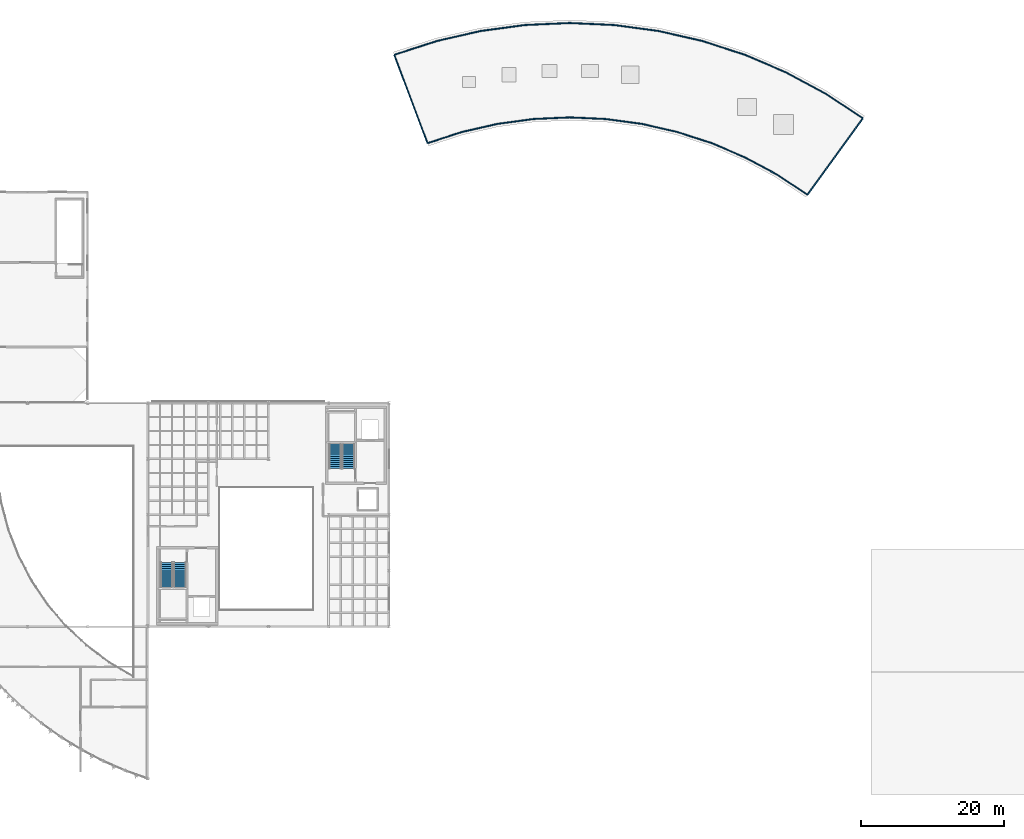
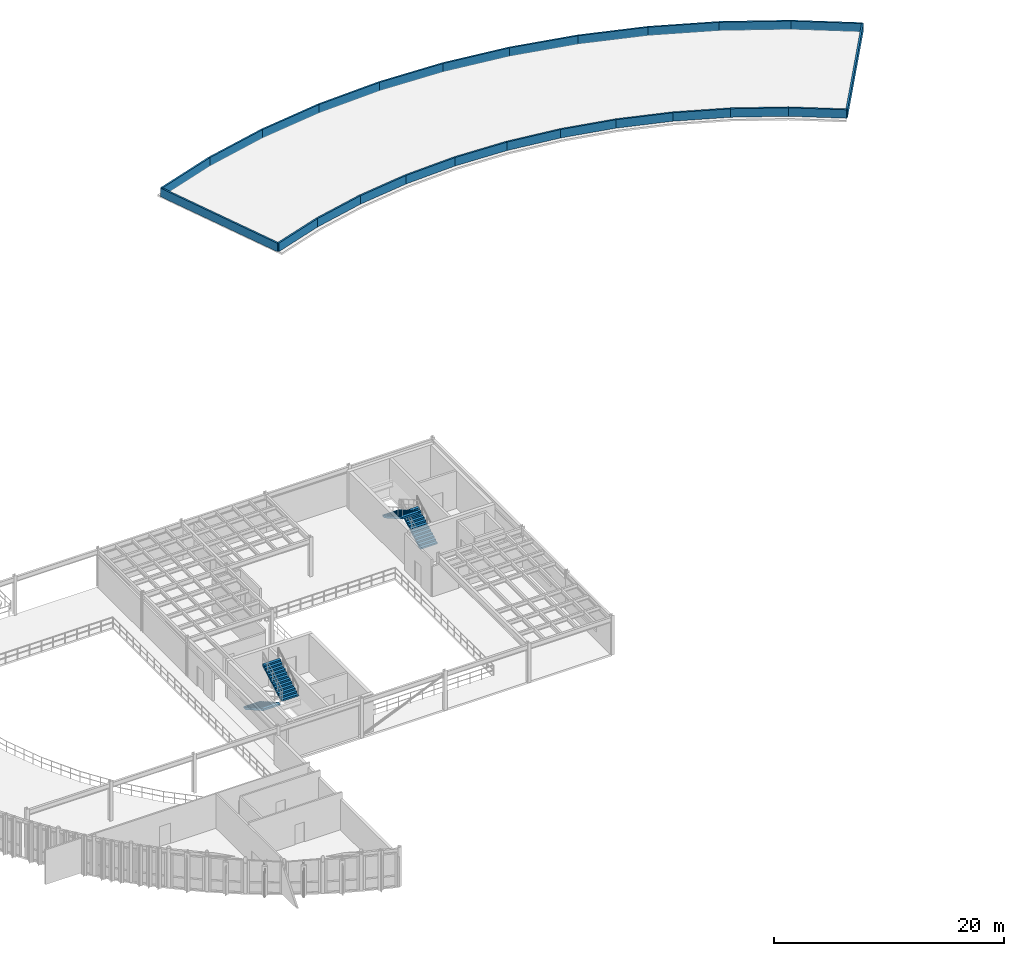
# One storey, part 24 of 32: 24 walls, 4 stair flights, 2 elements without a shape of their own.
"""IFC4 building model written with IfcOpenShell, lengths in metres."""

from ifc_helpers import new_model, si_unit, direction, frame, frame_2d, origin, place, context, subcontext, project, spatial, polyline, rectangle, outline, extrude, material, layer, layer_set, type_object, element, aggregate, save


model = new_model("IFC4")

# Units and contexts
model_context = context("Model", 3, precision=1e-05, world=origin(), true_north=direction((0.0, 1.0)))
body_context = subcontext(model_context, "Body", "Model", "MODEL_VIEW")
ifc_project = project(units=[si_unit("LENGTHUNIT", "METRE"), si_unit("AREAUNIT", "SQUARE_METRE"), si_unit("VOLUMEUNIT", "CUBIC_METRE"), si_unit("PLANEANGLEUNIT", "RADIAN"), si_unit("MASSUNIT", "GRAM", prefix="KILO")], contexts=[model_context])

# Site, building, storey
site_placement = place(None, origin())
site = spatial("IfcSite", under=ifc_project, at=site_placement, CompositionType="ELEMENT")
building_placement = place(site_placement, origin())
building = spatial("IfcBuilding", under=site, at=building_placement, Name="Selat Folded Stagehouse", CompositionType="ELEMENT")
storey_placement = place(building_placement, frame((0.0, 0.0, 19.199951171875)))
storey = spatial("IfcBuildingStorey", under=building, at=storey_placement, Name="L04", CompositionType="ELEMENT", Elevation=19.199951171875)

# Walls
ifc_material_1 = material(Name="Precast concrete C40/50", Category="concrete")
ifc_layer = layer(ifc_material_1, 0.1650390625)
ifc_layer_set = layer_set([ifc_layer], Name="Precast concrete C40/50")
wall_type = type_object("IfcWallType", Name="WAL-PAR-165", PredefinedType="PARAPET", material=ifc_layer_set)
for number, where, z_axis, x_axis, name in (
    (1, (72.575439453125, 90.822509765625, 0.0), (0.0, 0.0, 1.0), (0.951067022827, 0.308984656724, 0.0), "L04 roof parapet 05"),
    (2, (77.39013671875, 92.38671875, 0.0), (0.0, 0.0, 1.0), (0.974919228757, 0.222558975105, 0.0), "L04 roof parapet 06"),
):
    element("IfcWall", number, at=place(storey_placement, frame(where, z_axis=z_axis, x_axis=x_axis)), inside=storey, type_object=wall_type, Name=name, PredefinedType="PARAPET", context=body_context, shape_type="SweptSolid", body=[
        extrude(rectangle(XDim=5.0625, YDim=0.1650390625, at=frame_2d((2.53125, 0.0))), origin(), (0.0, 0.0, 1.0), 0.900146484375),
    ])
wall_1_placement = place(storey_placement, frame((82.32568359375, 93.513427734375, 0.0), z_axis=(0.0, 0.0, 1.0), x_axis=(0.990953297066, 0.134207164618, 0.0)))
element("IfcWall", 3, at=wall_1_placement, inside=storey, type_object=wall_type, Name="L04 roof parapet 07", PredefinedType="PARAPET", context=body_context, shape_type="SweptSolid", body=[
    extrude(rectangle(XDim=5.062744140625, YDim=0.1650390625, at=frame_2d((2.53125, 0.0))), origin(), (0.0, 0.0, 1.0), 0.900146484375),
])
wall_2_placement = place(storey_placement, frame((87.342529296875, 94.19287109375, 0.0), z_axis=(0.0, 0.0, 1.0), x_axis=(0.998993740203, 0.044849827583, 0.0)))
element("IfcWall", 4, at=wall_2_placement, inside=storey, type_object=wall_type, Name="L04 roof parapet 08", PredefinedType="PARAPET", context=body_context, shape_type="SweptSolid", body=[
    extrude(rectangle(XDim=5.0625, YDim=0.1650390625, at=frame_2d((2.53125, 0.0))), origin(), (0.0, 0.0, 1.0), 0.900146484375),
])
wall_3_placement = place(storey_placement, frame((92.39990234375, 94.419921875, 0.0), z_axis=(0.0, 0.0, 1.0), x_axis=(0.998993837203, -0.044847666953, 0.0)))
element("IfcWall", 5, at=wall_3_placement, inside=storey, type_object=wall_type, Name="L04 roof parapet 09", PredefinedType="PARAPET", context=body_context, shape_type="SweptSolid", body=[
    extrude(rectangle(XDim=5.062744140625, YDim=0.1650390625, at=frame_2d((2.53125, 0.0))), origin(), (0.0, 0.0, 1.0), 0.900146484375),
])
wall_4_placement = place(storey_placement, frame((97.45751953125, 94.19287109375, 0.0), z_axis=(0.0, 0.0, 1.0), x_axis=(0.990952428415, -0.134213578367, 0.0)))
element("IfcWall", 6, at=wall_4_placement, inside=storey, type_object=wall_type, Name="L04 roof parapet 10", PredefinedType="PARAPET", context=body_context, shape_type="SweptSolid", body=[
    extrude(rectangle(XDim=5.0625, YDim=0.1650390625, at=frame_2d((2.53125, 0.0))), origin(), (0.0, 0.0, 1.0), 0.900146484375),
])
wall_5_placement = place(storey_placement, frame((102.47412109375, 93.513427734375, 0.0), z_axis=(0.0, 0.0, 1.0), x_axis=(0.9749216173, -0.222548511838, 0.0)))
element("IfcWall", 7, at=wall_5_placement, inside=storey, type_object=wall_type, Name="L04 roof parapet 11", PredefinedType="PARAPET", context=body_context, shape_type="SweptSolid", body=[
    extrude(rectangle(XDim=5.062744140625, YDim=0.1650390625, at=frame_2d((2.53125, 0.0))), origin(), (0.0, 0.0, 1.0), 0.900146484375),
])
for number, where, z_axis, x_axis, name in (
    (8, (107.409912109375, 92.38671875, 0.0), (0.0, 0.0, 1.0), (0.951067022827, -0.308984656724, 0.0), "L04 roof parapet 12"),
    (9, (112.224609375, 90.822509765625, 0.0), (0.0, 0.0, 1.0), (0.919521269938, -0.393040244926, 0.0), "L04 roof parapet 13"),
):
    element("IfcWall", number, at=place(storey_placement, frame(where, z_axis=z_axis, x_axis=x_axis)), inside=storey, type_object=wall_type, Name=name, PredefinedType="PARAPET", context=body_context, shape_type="SweptSolid", body=[
        extrude(rectangle(XDim=5.0625, YDim=0.1650390625, at=frame_2d((2.53125, 0.0))), origin(), (0.0, 0.0, 1.0), 0.900146484375),
    ])
wall_6_placement = place(storey_placement, frame((116.879638671875, 88.832763671875, 0.0), z_axis=(0.0, 0.0, 1.0), x_axis=(0.880588753085, -0.473881259327, 0.0)))
element("IfcWall", 10, at=wall_6_placement, inside=storey, type_object=wall_type, Name="L04 roof parapet 14", PredefinedType="PARAPET", context=body_context, shape_type="SweptSolid", body=[
    extrude(rectangle(XDim=5.062744140625, YDim=0.1650390625, at=frame_2d((2.53125, 0.0))), origin(), (0.0, 0.0, 1.0), 0.900146484375),
])
wall_7_placement = place(storey_placement, frame((121.337890625, 86.43359375, 0.0), z_axis=(0.0, 0.0, 1.0), x_axis=(0.834586348002, -0.550877143952, 0.0)))
element("IfcWall", 11, at=wall_7_placement, inside=storey, type_object=wall_type, Name="L04 roof parapet 15", PredefinedType="PARAPET", context=body_context, shape_type="SweptSolid", body=[
    extrude(rectangle(XDim=5.0625, YDim=0.1650390625, at=frame_2d((2.53125, 0.0))), origin(), (0.0, 0.0, 1.0), 0.900146484375),
])
wall_8_placement = place(storey_placement, frame((125.56298828125, 83.644775390625, 0.0), z_axis=(0.0, 0.0, 1.0), x_axis=(0.587775622156, 0.809023990991, 0.0)))
element("IfcWall", 12, at=wall_8_placement, inside=storey, type_object=wall_type, Name="L04 roof parapet 16", PredefinedType="PARAPET", context=body_context, shape_type="SweptSolid", body=[
    extrude(rectangle(XDim=13.159912109375, YDim=0.1650390625, at=frame_2d((6.580078125, 0.0))), origin(), (0.0, 0.0, 1.0), 0.900146484375),
])
wall_9_placement = place(storey_placement, frame((133.298095703125, 94.29150390625, 0.0), z_axis=(0.0, 0.0, 1.0), x_axis=(-0.834580282258, 0.550886333526, 0.0)))
element("IfcWall", 13, at=wall_9_placement, inside=storey, type_object=wall_type, Name="L04 roof parapet 17", PredefinedType="PARAPET", context=body_context, shape_type="SweptSolid", body=[
    extrude(rectangle(XDim=6.243408203125, YDim=0.1650390625, at=frame_2d((3.12158203125, 0.0))), origin(), (0.0, 0.0, 1.0), 0.900146484375),
])
wall_10_placement = place(storey_placement, frame((128.08740234375, 97.73095703125, 0.0), z_axis=(0.0, 0.0, 1.0), x_axis=(-0.880595379077, 0.473868946385, 0.0)))
element("IfcWall", 14, at=wall_10_placement, inside=storey, type_object=wall_type, Name="L04 roof parapet 18", PredefinedType="PARAPET", context=body_context, shape_type="SweptSolid", body=[
    extrude(rectangle(XDim=6.2431640625, YDim=0.1650390625, at=frame_2d((3.12158203125, 0.0))), origin(), (0.0, 0.0, 1.0), 0.900146484375),
])
wall_11_placement = place(storey_placement, frame((122.589599609375, 100.689453125, 0.0), z_axis=(0.0, 0.0, 1.0), x_axis=(-0.919524852116, 0.393031864283, 0.0)))
element("IfcWall", 15, at=wall_11_placement, inside=storey, type_object=wall_type, Name="L04 roof parapet 19", PredefinedType="PARAPET", context=body_context, shape_type="SweptSolid", body=[
    extrude(rectangle(XDim=6.243408203125, YDim=0.1650390625, at=frame_2d((3.12158203125, 0.0))), origin(), (0.0, 0.0, 1.0), 0.900146484375),
])
wall_12_placement = place(storey_placement, frame((116.8486328125, 103.143310546875, 0.0), z_axis=(0.0, 0.0, 1.0), x_axis=(-0.951060790644, 0.309003838973, 0.0)))
element("IfcWall", 16, at=wall_12_placement, inside=storey, type_object=wall_type, Name="L04 roof parapet 20", PredefinedType="PARAPET", context=body_context, shape_type="SweptSolid", body=[
    extrude(rectangle(XDim=6.2431640625, YDim=0.1650390625, at=frame_2d((3.12158203125, 0.0))), origin(), (0.0, 0.0, 1.0), 0.900146484375),
])
wall_13_placement = place(storey_placement, frame((110.910888671875, 105.072509765625, 0.0), z_axis=(0.0, 0.0, 1.0), x_axis=(-0.974924232936, 0.22253705317, 0.0)))
element("IfcWall", 17, at=wall_13_placement, inside=storey, type_object=wall_type, Name="L04 roof parapet 21", PredefinedType="PARAPET", context=body_context, shape_type="SweptSolid", body=[
    extrude(rectangle(XDim=6.243408203125, YDim=0.1650390625, at=frame_2d((3.12158203125, 0.0))), origin(), (0.0, 0.0, 1.0), 0.900146484375),
])
wall_14_placement = place(storey_placement, frame((104.823974609375, 106.4619140625, 0.0), z_axis=(0.0, 0.0, 1.0), x_axis=(-0.990953255306, 0.134207472957, 0.0)))
element("IfcWall", 18, at=wall_14_placement, inside=storey, type_object=wall_type, Name="L04 roof parapet 22", PredefinedType="PARAPET", context=body_context, shape_type="SweptSolid", body=[
    extrude(rectangle(XDim=6.2431640625, YDim=0.1650390625, at=frame_2d((3.12158203125, 0.0))), origin(), (0.0, 0.0, 1.0), 0.900146484375),
])
wall_15_placement = place(storey_placement, frame((98.63720703125, 107.2998046875, 0.0), z_axis=(0.0, 0.0, 1.0), x_axis=(-0.998991948101, 0.044889727432, 0.0)))
element("IfcWall", 19, at=wall_15_placement, inside=storey, type_object=wall_type, Name="L04 roof parapet 23", PredefinedType="PARAPET", context=body_context, shape_type="SweptSolid", body=[
    extrude(rectangle(XDim=6.24365234375, YDim=0.1650390625, at=frame_2d((3.121826171875, 0.0))), origin(), (0.0, 0.0, 1.0), 0.900146484375),
])
wall_16_placement = place(storey_placement, frame((92.39990234375, 107.580078125, 0.0), z_axis=(0.0, 0.0, 1.0), x_axis=(-0.998991869302, -0.044891481033, 0.0)))
element("IfcWall", 20, at=wall_16_placement, inside=storey, type_object=wall_type, Name="L04 roof parapet 24", PredefinedType="PARAPET", context=body_context, shape_type="SweptSolid", body=[
    extrude(rectangle(XDim=6.243408203125, YDim=0.1650390625, at=frame_2d((3.12158203125, 0.0))), origin(), (0.0, 0.0, 1.0), 0.900146484375),
])
wall_17_placement = place(storey_placement, frame((86.162841796875, 107.2998046875, 0.0), z_axis=(0.0, 0.0, 1.0), x_axis=(-0.990953255306, -0.134207472957, 0.0)))
element("IfcWall", 21, at=wall_17_placement, inside=storey, type_object=wall_type, Name="L04 roof parapet 25", PredefinedType="PARAPET", context=body_context, shape_type="SweptSolid", body=[
    extrude(rectangle(XDim=6.2431640625, YDim=0.1650390625, at=frame_2d((3.12158203125, 0.0))), origin(), (0.0, 0.0, 1.0), 0.900146484375),
])
wall_18_placement = place(storey_placement, frame((79.97607421875, 106.4619140625, 0.0), z_axis=(0.0, 0.0, 1.0), x_axis=(-0.974924232936, -0.22253705317, 0.0)))
element("IfcWall", 22, at=wall_18_placement, inside=storey, type_object=wall_type, Name="L04 roof parapet 26", PredefinedType="PARAPET", context=body_context, shape_type="SweptSolid", body=[
    extrude(rectangle(XDim=6.243408203125, YDim=0.1650390625, at=frame_2d((3.12158203125, 0.0))), origin(), (0.0, 0.0, 1.0), 0.900146484375),
])
wall_19_placement = place(storey_placement, frame((73.88916015625, 105.072509765625, 0.0), z_axis=(0.0, 0.0, 1.0), x_axis=(-0.951060790644, -0.309003838973, 0.0)))
element("IfcWall", 23, at=wall_19_placement, inside=storey, type_object=wall_type, Name="L04 roof parapet 27", PredefinedType="PARAPET", context=body_context, shape_type="SweptSolid", body=[
    extrude(rectangle(XDim=6.2431640625, YDim=0.1650390625, at=frame_2d((3.12158203125, 0.0))), origin(), (0.0, 0.0, 1.0), 0.900146484375),
])
wall_20_placement = place(storey_placement, frame((67.951416015625, 103.143310546875, 0.0), z_axis=(0.0, 0.0, 1.0), x_axis=(0.351371464556, -0.936236131484, 0.0)))
element("IfcWall", 24, at=wall_20_placement, inside=storey, type_object=wall_type, Name="L04 roof parapet 28", PredefinedType="PARAPET", context=body_context, shape_type="SweptSolid", body=[
    extrude(rectangle(XDim=13.159912109375, YDim=0.1650390625, at=frame_2d((6.580078125, 0.0))), origin(), (0.0, 0.0, 1.0), 0.900146484375),
])

# Stair, stair flights
ifc_material_2 = material(Name="Concrete C40/50", Category="concrete")
stair_type = type_object("IfcStairType", Name="STR-DOG-1700-26R", PredefinedType="HALF_TURN_STAIR", material=ifc_material_2)
stair_1_placement = place(storey_placement, origin())
stair_1 = element("IfcStair", 25, at=stair_1_placement, inside=storey, type_object=stair_type, Name="L04 Core 1 South-West Fire Core", PredefinedType="HALF_TURN_STAIR")
stair_flight_type = type_object("IfcStairFlightType", Name="STF-STR-1700-13R", PredefinedType="STRAIGHT", material=ifc_material_2)
stair_flight_1_placement = place(storey_placement, frame((36.2099609375, 32.340087890625, 0.0), z_axis=(0.0, 0.0, 1.0), x_axis=(0.0, -1.0, 0.0)))
stair_flight_1 = element("IfcStairFlight", 26, at=stair_flight_1_placement, type_object=stair_flight_type, Name="ST-1700-26R flight 1", NumberOfRisers=13, NumberOfTreads=12, PredefinedType="STRAIGHT", RiserHeight=0.161538462, TreadLength=0.285, context=body_context, shape_type="SweptSolid", body=[
    extrude(outline(polyline([(0.0, 0.0), (0.0, 0.16162109375), (0.284912109375, 0.16162109375), (0.284912109375, 0.322998046875), (0.570068359375, 0.322998046875), (0.570068359375, 0.484619140625), (0.85498046875, 0.484619140625), (0.85498046875, 0.646240234375), (1.139892578125, 0.646240234375), (1.139892578125, 0.8076171875), (1.425048828125, 0.8076171875), (1.425048828125, 0.96923828125), (1.7099609375, 0.96923828125), (1.7099609375, 1.130859375), (1.9951171875, 1.130859375), (1.9951171875, 1.292236328125), (2.280029296875, 1.292236328125), (2.280029296875, 1.453857421875), (2.56494140625, 1.453857421875), (2.56494140625, 1.615478515625), (2.85009765625, 1.615478515625), (2.85009765625, 1.77685546875), (3.135009765625, 1.77685546875), (3.135009765625, 1.9384765625), (3.419921875, 1.9384765625), (3.419921875, 2.10009765625), (3.419921875, 1.754638671875), (0.32421875, 0.0), (0.0, 0.0)])), frame((0.0, 0.85009765625, 0.0), z_axis=(0.0, -1.0, 0.0), x_axis=(1.0, 0.0, 0.0)), (0.0, 0.0, 1.0), 1.699951171875),
])
stair_flight_2_placement = place(storey_placement, frame((38.070068359375, 28.919921875, 2.10009765625), z_axis=(0.0, 0.0, 1.0), x_axis=(0.0, 1.0, 0.0)))
stair_flight_2 = element("IfcStairFlight", 27, at=stair_flight_2_placement, type_object=stair_flight_type, Name="ST-1700-26R flight 2", NumberOfRisers=13, NumberOfTreads=12, PredefinedType="STRAIGHT", RiserHeight=0.161538462, TreadLength=0.285, context=body_context, shape_type="SweptSolid", body=[
    extrude(outline(polyline([(0.0, 0.0), (0.0, 0.16162109375), (0.284912109375, 0.16162109375), (0.284912109375, 0.322998046875), (0.570068359375, 0.322998046875), (0.570068359375, 0.484619140625), (0.85498046875, 0.484619140625), (0.85498046875, 0.646240234375), (1.139892578125, 0.646240234375), (1.139892578125, 0.8076171875), (1.425048828125, 0.8076171875), (1.425048828125, 0.96923828125), (1.7099609375, 0.96923828125), (1.7099609375, 1.130859375), (1.9951171875, 1.130859375), (1.9951171875, 1.292236328125), (2.280029296875, 1.292236328125), (2.280029296875, 1.453857421875), (2.56494140625, 1.453857421875), (2.56494140625, 1.615478515625), (2.85009765625, 1.615478515625), (2.85009765625, 1.77685546875), (3.135009765625, 1.77685546875), (3.135009765625, 1.9384765625), (3.419921875, 1.9384765625), (3.419921875, 2.10009765625), (3.419921875, 1.754638671875), (0.32421875, 0.0), (0.0, 0.0)])), frame((0.0, 0.85009765625, 0.0), z_axis=(0.0, -1.0, 0.0), x_axis=(1.0, 0.0, 0.0)), (0.0, 0.0, 1.0), 1.699951171875),
])
aggregate(stair_1, [stair_flight_1, stair_flight_2])

stair_2_placement = place(storey_placement, origin())
stair_2 = element("IfcStair", 28, at=stair_2_placement, inside=storey, type_object=stair_type, Name="L04 Core 2 North-East Stage Fire Core", PredefinedType="HALF_TURN_STAIR")
stair_flight_3_placement = place(storey_placement, frame((61.570068359375, 45.4599609375, 0.0), z_axis=(0.0, 0.0, 1.0), x_axis=(0.0, 1.0, 0.0)))
stair_flight_3 = element("IfcStairFlight", 29, at=stair_flight_3_placement, type_object=stair_flight_type, Name="ST-1700-26R flight 1", NumberOfRisers=13, NumberOfTreads=12, PredefinedType="STRAIGHT", RiserHeight=0.161538462, TreadLength=0.285, context=body_context, shape_type="SweptSolid", body=[
    extrude(outline(polyline([(0.0, 0.0), (0.0, 0.16162109375), (0.284912109375, 0.16162109375), (0.284912109375, 0.322998046875), (0.570068359375, 0.322998046875), (0.570068359375, 0.484619140625), (0.85498046875, 0.484619140625), (0.85498046875, 0.646240234375), (1.139892578125, 0.646240234375), (1.139892578125, 0.8076171875), (1.425048828125, 0.8076171875), (1.425048828125, 0.96923828125), (1.7099609375, 0.96923828125), (1.7099609375, 1.130859375), (1.9951171875, 1.130859375), (1.9951171875, 1.292236328125), (2.280029296875, 1.292236328125), (2.280029296875, 1.453857421875), (2.56494140625, 1.453857421875), (2.56494140625, 1.615478515625), (2.85009765625, 1.615478515625), (2.85009765625, 1.77685546875), (3.135009765625, 1.77685546875), (3.135009765625, 1.9384765625), (3.419921875, 1.9384765625), (3.419921875, 2.10009765625), (3.419921875, 1.754638671875), (0.32421875, 0.0), (0.0, 0.0)])), frame((0.0, 0.85009765625, 0.0), z_axis=(0.0, -1.0, 0.0), x_axis=(1.0, 0.0, 0.0)), (0.0, 0.0, 1.0), 1.699951171875),
])
stair_flight_4_placement = place(storey_placement, frame((59.7099609375, 48.8798828125, 2.10009765625), z_axis=(0.0, 0.0, 1.0), x_axis=(0.0, -1.0, 0.0)))
stair_flight_4 = element("IfcStairFlight", 30, at=stair_flight_4_placement, type_object=stair_flight_type, Name="ST-1700-26R flight 2", NumberOfRisers=13, NumberOfTreads=12, PredefinedType="STRAIGHT", RiserHeight=0.161538462, TreadLength=0.285, context=body_context, shape_type="SweptSolid", body=[
    extrude(outline(polyline([(0.0, 0.0), (0.0, 0.16162109375), (0.284912109375, 0.16162109375), (0.284912109375, 0.322998046875), (0.570068359375, 0.322998046875), (0.570068359375, 0.484619140625), (0.85498046875, 0.484619140625), (0.85498046875, 0.646240234375), (1.139892578125, 0.646240234375), (1.139892578125, 0.8076171875), (1.425048828125, 0.8076171875), (1.425048828125, 0.96923828125), (1.7099609375, 0.96923828125), (1.7099609375, 1.130859375), (1.9951171875, 1.130859375), (1.9951171875, 1.292236328125), (2.280029296875, 1.292236328125), (2.280029296875, 1.453857421875), (2.56494140625, 1.453857421875), (2.56494140625, 1.615478515625), (2.85009765625, 1.615478515625), (2.85009765625, 1.77685546875), (3.135009765625, 1.77685546875), (3.135009765625, 1.9384765625), (3.419921875, 1.9384765625), (3.419921875, 2.10009765625), (3.419921875, 1.754638671875), (0.32421875, 0.0), (0.0, 0.0)])), frame((0.0, 0.85009765625, 0.0), z_axis=(0.0, -1.0, 0.0), x_axis=(1.0, 0.0, 0.0)), (0.0, 0.0, 1.0), 1.699951171875),
])
aggregate(stair_2, [stair_flight_3, stair_flight_4])

save(model, "model.ifc")
